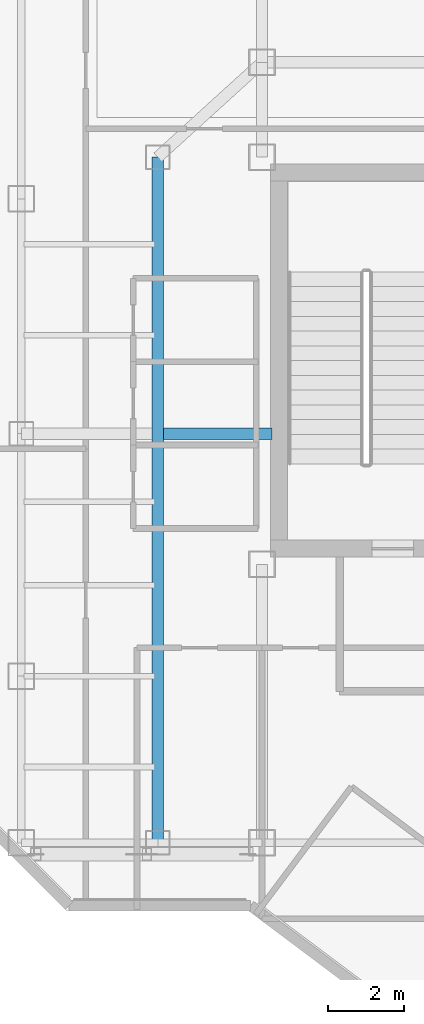
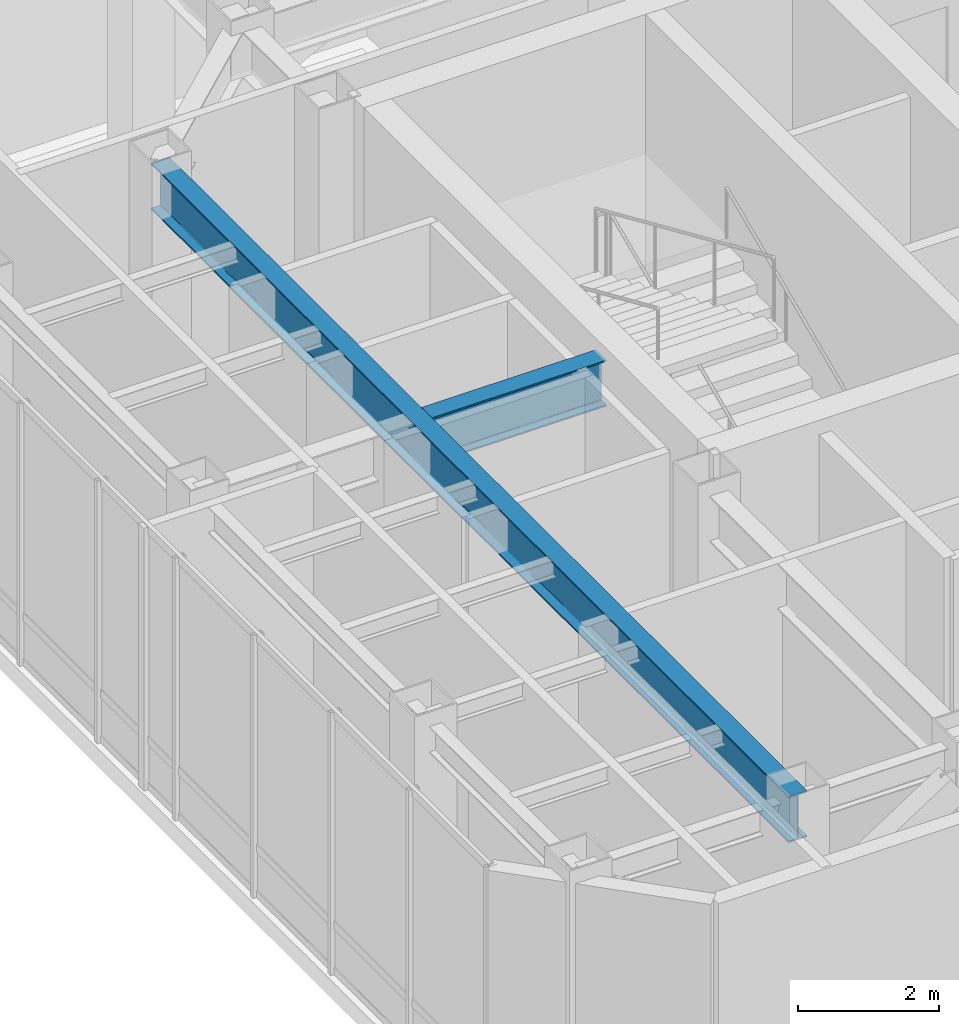
# One storey, part 5 of 21: 2 beams.
"""IFC4 building model written with IfcOpenShell, lengths in metres."""

import ifcopenshell
import ifcopenshell.guid

model = None  # the IFC model being written
_history = None  # IfcOwnerHistory: only IFC2X3 demands one
_inside = {}  # id of a spatial element -> (the spatial element, [elements in it])
_under = {}  # id of a project, library or spatial element -> (it, [spatial elements below it])
_declared = {}  # id of a project -> (the project, [libraries it declares])
_typed = {}  # id of a type object -> (the type object, [elements of that type])
_made_of = {}  # id of a material, layer set ... -> (it, [elements and type objects made of it])


def new_model(schema):
    """Start an empty IFC model of exactly this schema.

    Asked for "IFC4X3", IfcOpenShell would pick the latest addendum, in which some entities
    have other attributes; the version numbers below select the first issue.
    IFC2X3 requires an IfcOwnerHistory on every rooted entity: one is made here for all.
    """
    global model, _history
    if schema == "IFC4X3":
        model = ifcopenshell.file(schema_version=(4, 3, 0, 0))
    else:
        model = ifcopenshell.file(schema=schema)
    _inside.clear()
    _under.clear()
    _declared.clear()
    _typed.clear()
    _made_of.clear()
    _history = None
    if model.schema == "IFC2X3":
        org = make("IfcOrganization", Name="unknown")
        user = make(
            "IfcPersonAndOrganization",
            ThePerson=make("IfcPerson", FamilyName="unknown"),
            TheOrganization=org,
        )
        app = make(
            "IfcApplication",
            ApplicationDeveloper=org,
            Version="unknown",
            ApplicationFullName="unknown",
            ApplicationIdentifier="unknown",
        )
        _history = make(
            "IfcOwnerHistory",
            OwningUser=user,
            OwningApplication=app,
            ChangeAction="ADDED",
            CreationDate=0,
        )
    return model


def make(cls, **values):
    """One entity of the class cls with the attributes given. An attribute that is None is left unset."""
    return model.create_entity(
        cls, **{name: value for name, value in values.items() if value is not None}
    )


def rooted(cls, **values):
    """An entity with a GlobalId (a new one), such as an element, a storey or a relation."""
    return make(cls, GlobalId=ifcopenshell.guid.new(), OwnerHistory=_history, **values)


def si_unit(unit_type, name, prefix=None):
    """IfcSIUnit, for example si_unit("LENGTHUNIT", "METRE", prefix="MILLI")."""
    return make("IfcSIUnit", UnitType=unit_type, Prefix=prefix, Name=name)


def assignment(units):
    """IfcUnitAssignment: the units of a project."""
    return None if units is None else make("IfcUnitAssignment", Units=units)


def point(xyz):
    """IfcCartesianPoint."""
    return None if xyz is None else make("IfcCartesianPoint", Coordinates=xyz)


def direction(xyz):
    """IfcDirection."""
    return None if xyz is None else make("IfcDirection", DirectionRatios=xyz)


def frame(location, z_axis=None, x_axis=None):
    """IfcAxis2Placement3D, a coordinate frame: its origin and axes. An axis left out is left unset."""
    return make(
        "IfcAxis2Placement3D",
        Location=point(location),
        Axis=direction(z_axis),
        RefDirection=direction(x_axis),
    )


def frame_2d(location, x_axis=None):
    """IfcAxis2Placement2D, a coordinate frame in the plane: its origin and x axis."""
    return make(
        "IfcAxis2Placement2D", Location=point(location), RefDirection=direction(x_axis)
    )


def origin():
    """The frame at (0, 0, 0) with its axes left unset."""
    return frame((0.0, 0.0, 0.0))


def origin_2d():
    """The frame at (0, 0) in the plane with its x axis left unset."""
    return frame_2d((0.0, 0.0))


def place(relative_to, where):
    """IfcLocalPlacement: puts the frame where relative to a parent placement (None: the world)."""
    return make(
        "IfcLocalPlacement", PlacementRelTo=relative_to, RelativePlacement=where
    )


def context(
    kind, dimensions, precision=None, world=None, true_north=None, identifier=None
):
    """IfcGeometricRepresentationContext, for example the 3D "Model" context."""
    return make(
        "IfcGeometricRepresentationContext",
        ContextIdentifier=identifier,
        ContextType=kind,
        CoordinateSpaceDimension=dimensions,
        Precision=precision,
        WorldCoordinateSystem=world,
        TrueNorth=true_north,
    )


def subcontext(parent, identifier, kind, view, scale=None):
    """IfcGeometricRepresentationSubContext, for example "Body" below "Model"."""
    return make(
        "IfcGeometricRepresentationSubContext",
        ContextIdentifier=identifier,
        ContextType=kind,
        ParentContext=parent,
        TargetScale=scale,
        TargetView=view,
    )


def project(units=None, contexts=None):
    """IfcProject with its units and contexts."""
    return rooted(
        "IfcProject",
        Name="project",
        RepresentationContexts=contexts,
        UnitsInContext=assignment(units),
    )


def spatial(cls, under=None, at=None, **own):
    """A site, building, storey or space (cls), placed at a placement, below another one or the project."""
    s = rooted(cls, ObjectPlacement=at, **own)
    if under is not None:
        _under.setdefault(under.id(), (under, []))[1].append(s)
    return s


def profile(cls, at=None, kind="AREA", **sizes):
    """A parametric profile (cls). Its sizes go by their IFC names, for example OverallWidth=200.0."""
    return make(cls, ProfileType=kind, Position=at, **sizes)


def i_section(**sizes):
    """IfcIShapeProfileDef."""
    return profile("IfcIShapeProfileDef", **sizes)


def extrude(swept, where, along, depth):
    """IfcExtrudedAreaSolid: the profile swept, set in the frame where, extruded along a direction by depth."""
    return make(
        "IfcExtrudedAreaSolid",
        SweptArea=swept,
        Position=where,
        ExtrudedDirection=direction(along),
        Depth=depth,
    )


def shape(context_of_items, identifier, shape_type, items):
    """IfcShapeRepresentation: the items that make up one representation, for example the "Body"."""
    return make(
        "IfcShapeRepresentation",
        ContextOfItems=context_of_items,
        RepresentationIdentifier=identifier,
        RepresentationType=shape_type,
        Items=items,
    )


def material(Name=None, Category=None):
    """IfcMaterial."""
    return make("IfcMaterial", Name=Name, Category=Category)


def material_profile(
    of_material, cross_section, Name=None, Category=None, Priority=None
):
    """IfcMaterialProfile: a cross section and its material."""
    return make(
        "IfcMaterialProfile",
        Name=Name,
        Material=of_material,
        Profile=cross_section,
        Priority=Priority,
        Category=Category,
    )


def profile_set(profiles, Name=None, composite=None):
    """IfcMaterialProfileSet."""
    return make(
        "IfcMaterialProfileSet",
        Name=Name,
        MaterialProfiles=profiles,
        CompositeProfile=composite,
    )


def made_of(thing, what):
    """Note that an element or type object is made of a material, layer set ...; save() writes the relation."""
    if what is not None:
        _made_of.setdefault(what.id(), (what, []))[1].append(thing)
    return thing


def type_object(cls, material=None, **own):
    """A type object (cls), such as IfcWallType, which elements share."""
    return made_of(rooted(cls, **own), material)


def element(
    cls,
    number,
    at=None,
    inside=None,
    cuts=None,
    type_object=None,
    material=None,
    context=None,
    identifier="Body",
    shape_type=None,
    held_by="IfcProductDefinitionShape",
    body=None,
    shapes=None,
    **own,
):
    """One element of the class cls, such as IfcWall. Its Tag is "e" and its number.

    at: its placement. inside: the storey or other place that contains it. cuts: it is an
    opening in that element (IfcRelVoidsElement). A single representation is given by context,
    identifier, shape_type and body (its items); several are given by shapes. held_by: the class
    of the entity that holds the representations. save() writes the other relations.
    """
    e = rooted(cls, Tag="e%d" % number, ObjectPlacement=at, **own)
    if body is not None:
        shapes = [shape(context, identifier, shape_type, body)]
    if shapes is not None:
        e.Representation = make(held_by, Representations=shapes)
    if inside is not None:
        _inside.setdefault(inside.id(), (inside, []))[1].append(e)
    if cuts is not None:
        rooted(
            "IfcRelVoidsElement", RelatingBuildingElement=cuts, RelatedOpeningElement=e
        )
    if type_object is not None:
        _typed.setdefault(type_object.id(), (type_object, []))[1].append(e)
    return made_of(e, material)


def aggregate(whole, parts):
    """IfcRelAggregates: a whole, such as a stair, and the parts it consists of."""
    return rooted("IfcRelAggregates", RelatingObject=whole, RelatedObjects=parts)


def save(model, path):
    """Write the relations noted so far, then the file.

    IfcRelAggregates (storeys below a building ...), IfcRelContainedInSpatialStructure (elements
    in a storey), IfcRelDefinesByType, IfcRelAssociatesMaterial and IfcRelDeclares: one each for
    every whole, place, type object, material and project.
    """
    for whole, parts in _under.values():
        aggregate(whole, parts)
    for where, things in _inside.values():
        rooted(
            "IfcRelContainedInSpatialStructure",
            RelatedElements=things,
            RelatingStructure=where,
        )
    for kind, things in _typed.values():
        rooted("IfcRelDefinesByType", RelatedObjects=things, RelatingType=kind)
    for what, things in _made_of.values():
        rooted("IfcRelAssociatesMaterial", RelatedObjects=things, RelatingMaterial=what)
    for by, libraries in _declared.values():
        rooted("IfcRelDeclares", RelatingContext=by, RelatedDefinitions=libraries)
    model.write(path)


model = new_model("IFC4")

# Units and contexts
model_context = context("Model", 3, precision=1e-05, world=origin(), true_north=direction((0.0, 1.0)))
body_context = subcontext(model_context, "Body", "Model", "MODEL_VIEW")
ifc_project = project(units=[si_unit("LENGTHUNIT", "METRE"), si_unit("AREAUNIT", "SQUARE_METRE"), si_unit("VOLUMEUNIT", "CUBIC_METRE"), si_unit("PLANEANGLEUNIT", "RADIAN"), si_unit("MASSUNIT", "GRAM", prefix="KILO")], contexts=[model_context])

# Site, building, storey
site_placement = place(None, origin())
site = spatial("IfcSite", under=ifc_project, at=site_placement, CompositionType="ELEMENT")
building_placement = place(site_placement, origin())
building = spatial("IfcBuilding", under=site, at=building_placement, Name="Hatsunagi Terrace Concourse", CompositionType="ELEMENT")
storey_placement = place(building_placement, frame((0.0, 0.0, 234.75)))
storey = spatial("IfcBuildingStorey", under=building, at=storey_placement, Name="L62", CompositionType="ELEMENT", Elevation=234.75)

# Beams
ifc_material = material(Name="Steel SN490B", Category="steel")
ifc_material_profile = material_profile(ifc_material, i_section(OverallWidth=0.300048828125, OverallDepth=0.800048828125, WebThickness=0.013916015625, FlangeThickness=0.02587890625, FilletRadius=0.02197265625, at=origin_2d()), Name="H-800x300x14x26")
ifc_profile_set = profile_set([ifc_material_profile], Name="Steel SN490B")
beam_type = type_object("IfcBeamType", Name="SkyLobbyGirder_H_800x300", PredefinedType="BEAM", material=ifc_profile_set)
beam_1_placement = place(storey_placement, frame((22.800048828125, 25.199951171875, 4.14990234375), z_axis=(0.0, 1.0, 0.0), x_axis=(-1.0, 0.0, 0.0)))
element("IfcBeam", 1, at=beam_1_placement, inside=storey, type_object=beam_type, Name="Beam G-03 BM-L62-CWNS", PredefinedType="BEAM", context=body_context, shape_type="SweptSolid", body=[
    extrude(i_section(OverallWidth=0.300048828125, OverallDepth=0.800048828125, WebThickness=0.013916015625, FlangeThickness=0.02587890625, FilletRadius=0.02197265625, at=origin_2d()), origin(), (0.0, 0.0, 1.0), 18.10009765625),
])
beam_2_placement = place(storey_placement, frame((22.949951171875, 36.0, 4.14990234375), z_axis=(1.0, 0.0, 0.0), x_axis=(0.0, 1.0, 0.0)))
element("IfcBeam", 2, at=beam_2_placement, inside=storey, type_object=beam_type, Name="Beam G-03 BM-L62-EW-4", PredefinedType="BEAM", context=body_context, shape_type="SweptSolid", body=[
    extrude(i_section(OverallWidth=0.300048828125, OverallDepth=0.800048828125, WebThickness=0.013916015625, FlangeThickness=0.02587890625, FilletRadius=0.02197265625, at=origin_2d()), origin(), (0.0, 0.0, 1.0), 2.860107421875),
])

save(model, "model.ifc")
